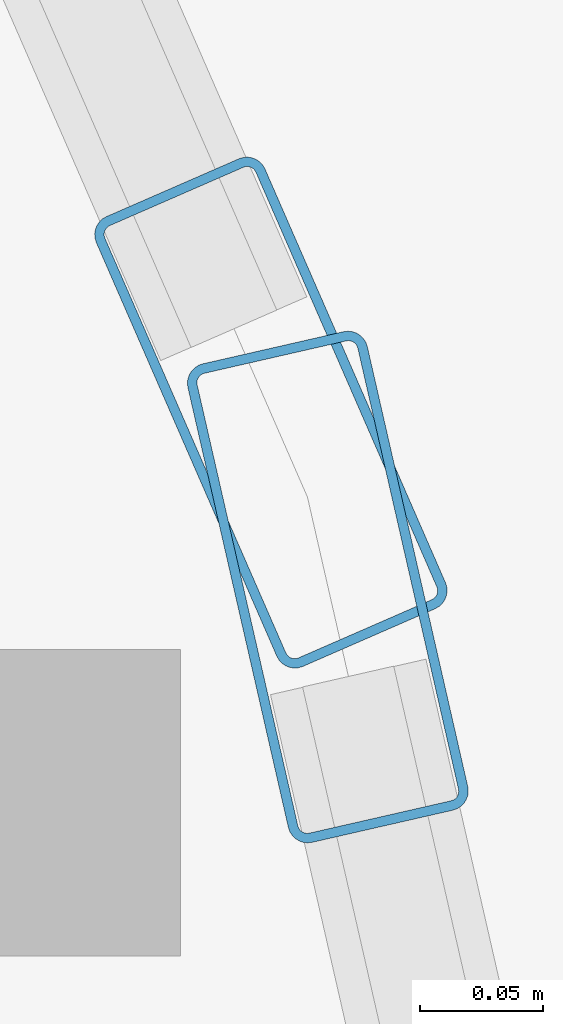
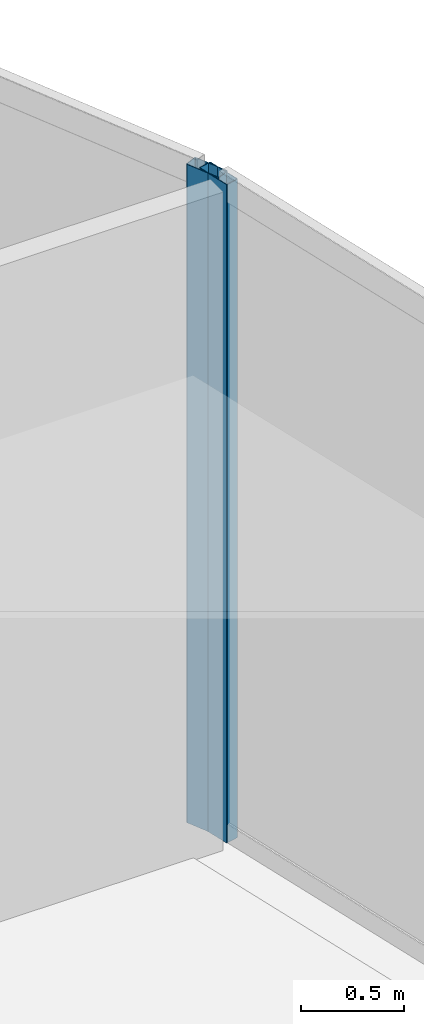
# One storey, part 22 of 34: 2 members, 2 elements without a shape of their own.
"""IFC4 building model written with IfcOpenShell, lengths in metres."""

from ifc_helpers import new_model, si_unit, direction, frame, origin, origin_2d, place, context, subcontext, project, spatial, hollow_rectangle, extrude, material, layer, layer_set, material_profile, profile_set, type_object, element, aggregate, save


model = new_model("IFC4")

# Units and contexts
model_context = context("Model", 3, precision=1e-05, world=origin(), true_north=direction((0.0, 1.0)))
body_context = subcontext(model_context, "Body", "Model", "MODEL_VIEW")
ifc_project = project(units=[si_unit("LENGTHUNIT", "METRE"), si_unit("AREAUNIT", "SQUARE_METRE"), si_unit("VOLUMEUNIT", "CUBIC_METRE"), si_unit("PLANEANGLEUNIT", "RADIAN"), si_unit("MASSUNIT", "GRAM", prefix="KILO")], contexts=[model_context])

# Site, building, storey
site_placement = place(None, origin())
site = spatial("IfcSite", under=ifc_project, at=site_placement, CompositionType="ELEMENT")
building_placement = place(site_placement, origin())
building = spatial("IfcBuilding", under=site, at=building_placement, Name="Qorvath Tower", CompositionType="ELEMENT")
storey_placement = place(building_placement, frame((0.0, 0.0, 268.199951171875)))
storey = spatial("IfcBuildingStorey", under=building, at=storey_placement, Name="L62", CompositionType="ELEMENT", Elevation=268.199951171875)

# Curtain wall, member
ifc_material_1 = material(Name="Anodised aluminium and triple low-E glass", Category="aluminium")
ifc_layer = layer(ifc_material_1, 0.179931640625)
ifc_layer_set = layer_set([ifc_layer], Name="CW-SYS-4")
curtain_wall_type = type_object("IfcCurtainWallType", Name="CW-SYS-4", PredefinedType="NOTDEFINED", material=ifc_layer_set)
curtain_wall_1_placement = place(storey_placement, origin())
curtain_wall_1 = element("IfcCurtainWall", 1, at=curtain_wall_1_placement, inside=storey, type_object=curtain_wall_type, Name="Curtain Wall CW-4 CW-T-L62-11.1", PredefinedType="NOTDEFINED")
ifc_material_2 = material(Name="Anodised aluminium 6063-T6", Category="aluminium")
ifc_material_profile = material_profile(ifc_material_2, hollow_rectangle(XDim=0.074951171875, YDim=0.199951171875, WallThickness=0.00390625, InnerFilletRadius=0.00390625, OuterFilletRadius=0.008056640625, at=origin_2d()), Name="CWM 200x75")
ifc_profile_set = profile_set([ifc_material_profile], Name="Anodised aluminium 6063-T6")
member_type = type_object("IfcMemberType", Name="CWM-200", PredefinedType="MULLION", material=ifc_profile_set)
member_1_placement = place(storey_placement, frame((-3.2080078125, 9.031005859375, 0.0), z_axis=(0.0, 0.0, 1.0), x_axis=(-0.974911683446, -0.222592024744, 0.0)))
member_1 = element("IfcMember", 2, at=member_1_placement, type_object=member_type, Name="CW-4 mullion 2", PredefinedType="MULLION", context=body_context, shape_type="SweptSolid", body=[
    extrude(hollow_rectangle(XDim=0.074951171875, YDim=0.199951171875, WallThickness=0.00390625, InnerFilletRadius=0.00390625, OuterFilletRadius=0.008056640625, at=origin_2d()), origin(), (0.0, 0.0, 1.0), 3.91015625),
])
aggregate(curtain_wall_1, [member_1])

curtain_wall_2_placement = place(storey_placement, origin())
curtain_wall_2 = element("IfcCurtainWall", 3, at=curtain_wall_2_placement, inside=storey, type_object=curtain_wall_type, Name="Curtain Wall CW-4 CW-T-L62-12.1", PredefinedType="NOTDEFINED")
member_2_placement = place(storey_placement, frame((-3.231201171875, 9.10205078125, 0.0), z_axis=(0.0, 0.0, 1.0), x_axis=(-0.91655883173, -0.399899872441, 0.0)))
member_2 = element("IfcMember", 4, at=member_2_placement, type_object=member_type, Name="CW-4 mullion 1", PredefinedType="MULLION", context=body_context, shape_type="SweptSolid", body=[
    extrude(hollow_rectangle(XDim=0.074951171875, YDim=0.199951171875, WallThickness=0.00390625, InnerFilletRadius=0.00390625, OuterFilletRadius=0.008056640625, at=origin_2d()), origin(), (0.0, 0.0, 1.0), 3.91015625),
])
aggregate(curtain_wall_2, [member_2])

save(model, "model.ifc")
